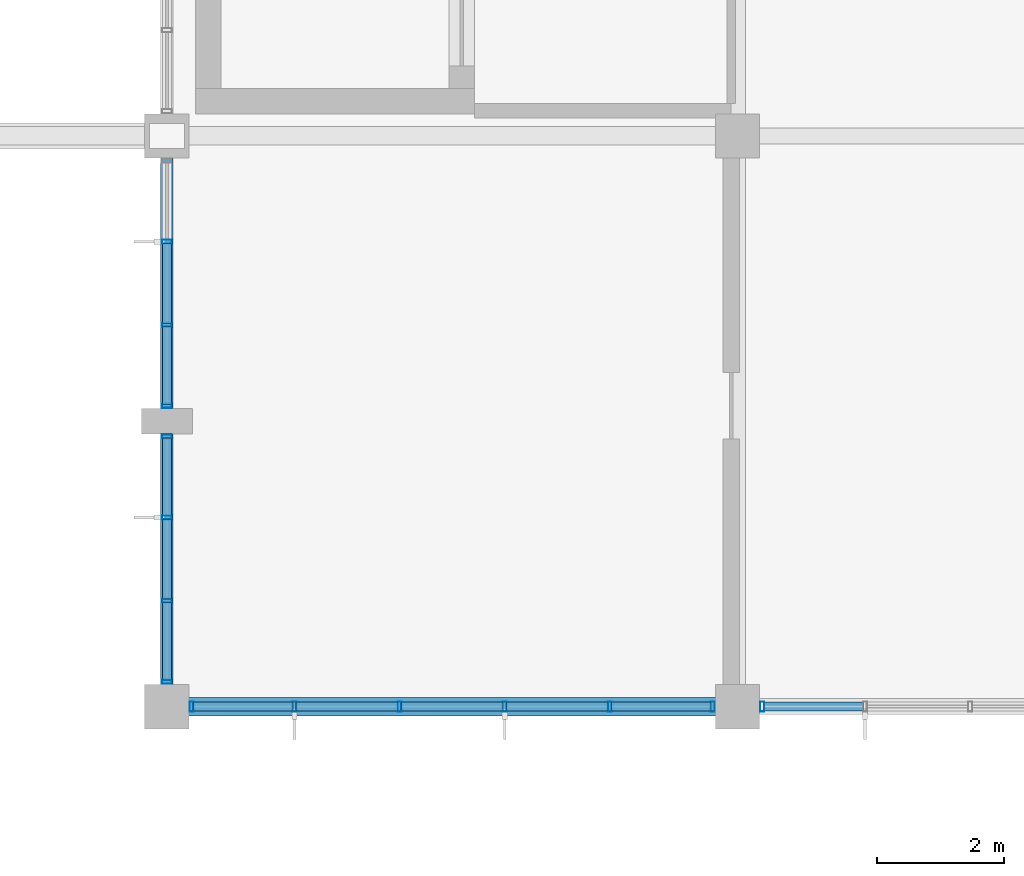
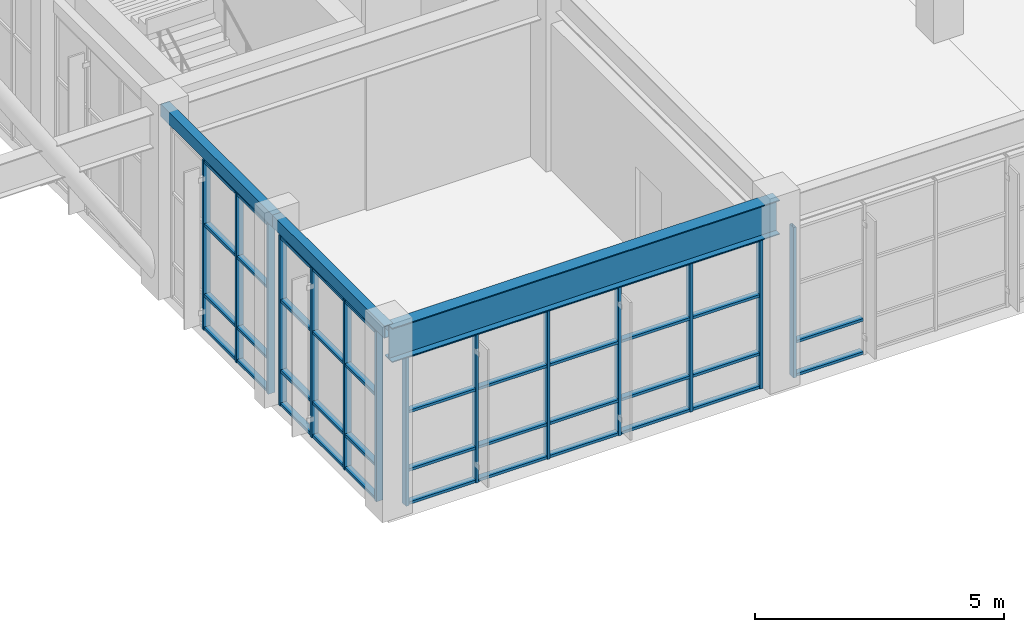
# One storey, part 15 of 99: 56 members, 3 beams, 4 elements without a shape of their own.
"""IFC4 building model written with IfcOpenShell, lengths in metres."""

import ifcopenshell
import ifcopenshell.guid

model = None  # the IFC model being written
_history = None  # IfcOwnerHistory: only IFC2X3 demands one
_inside = {}  # id of a spatial element -> (the spatial element, [elements in it])
_under = {}  # id of a project, library or spatial element -> (it, [spatial elements below it])
_declared = {}  # id of a project -> (the project, [libraries it declares])
_typed = {}  # id of a type object -> (the type object, [elements of that type])
_made_of = {}  # id of a material, layer set ... -> (it, [elements and type objects made of it])


def new_model(schema):
    """Start an empty IFC model of exactly this schema.

    Asked for "IFC4X3", IfcOpenShell would pick the latest addendum, in which some entities
    have other attributes; the version numbers below select the first issue.
    IFC2X3 requires an IfcOwnerHistory on every rooted entity: one is made here for all.
    """
    global model, _history
    if schema == "IFC4X3":
        model = ifcopenshell.file(schema_version=(4, 3, 0, 0))
    else:
        model = ifcopenshell.file(schema=schema)
    _inside.clear()
    _under.clear()
    _declared.clear()
    _typed.clear()
    _made_of.clear()
    _history = None
    if model.schema == "IFC2X3":
        org = make("IfcOrganization", Name="unknown")
        user = make(
            "IfcPersonAndOrganization",
            ThePerson=make("IfcPerson", FamilyName="unknown"),
            TheOrganization=org,
        )
        app = make(
            "IfcApplication",
            ApplicationDeveloper=org,
            Version="unknown",
            ApplicationFullName="unknown",
            ApplicationIdentifier="unknown",
        )
        _history = make(
            "IfcOwnerHistory",
            OwningUser=user,
            OwningApplication=app,
            ChangeAction="ADDED",
            CreationDate=0,
        )
    return model


def make(cls, **values):
    """One entity of the class cls with the attributes given. An attribute that is None is left unset."""
    return model.create_entity(
        cls, **{name: value for name, value in values.items() if value is not None}
    )


def rooted(cls, **values):
    """An entity with a GlobalId (a new one), such as an element, a storey or a relation."""
    return make(cls, GlobalId=ifcopenshell.guid.new(), OwnerHistory=_history, **values)


def si_unit(unit_type, name, prefix=None):
    """IfcSIUnit, for example si_unit("LENGTHUNIT", "METRE", prefix="MILLI")."""
    return make("IfcSIUnit", UnitType=unit_type, Prefix=prefix, Name=name)


def assignment(units):
    """IfcUnitAssignment: the units of a project."""
    return None if units is None else make("IfcUnitAssignment", Units=units)


def point(xyz):
    """IfcCartesianPoint."""
    return None if xyz is None else make("IfcCartesianPoint", Coordinates=xyz)


def direction(xyz):
    """IfcDirection."""
    return None if xyz is None else make("IfcDirection", DirectionRatios=xyz)


def frame(location, z_axis=None, x_axis=None):
    """IfcAxis2Placement3D, a coordinate frame: its origin and axes. An axis left out is left unset."""
    return make(
        "IfcAxis2Placement3D",
        Location=point(location),
        Axis=direction(z_axis),
        RefDirection=direction(x_axis),
    )


def frame_2d(location, x_axis=None):
    """IfcAxis2Placement2D, a coordinate frame in the plane: its origin and x axis."""
    return make(
        "IfcAxis2Placement2D", Location=point(location), RefDirection=direction(x_axis)
    )


def origin():
    """The frame at (0, 0, 0) with its axes left unset."""
    return frame((0.0, 0.0, 0.0))


def origin_2d():
    """The frame at (0, 0) in the plane with its x axis left unset."""
    return frame_2d((0.0, 0.0))


def place(relative_to, where):
    """IfcLocalPlacement: puts the frame where relative to a parent placement (None: the world)."""
    return make(
        "IfcLocalPlacement", PlacementRelTo=relative_to, RelativePlacement=where
    )


def context(
    kind, dimensions, precision=None, world=None, true_north=None, identifier=None
):
    """IfcGeometricRepresentationContext, for example the 3D "Model" context."""
    return make(
        "IfcGeometricRepresentationContext",
        ContextIdentifier=identifier,
        ContextType=kind,
        CoordinateSpaceDimension=dimensions,
        Precision=precision,
        WorldCoordinateSystem=world,
        TrueNorth=true_north,
    )


def subcontext(parent, identifier, kind, view, scale=None):
    """IfcGeometricRepresentationSubContext, for example "Body" below "Model"."""
    return make(
        "IfcGeometricRepresentationSubContext",
        ContextIdentifier=identifier,
        ContextType=kind,
        ParentContext=parent,
        TargetScale=scale,
        TargetView=view,
    )


def project(units=None, contexts=None):
    """IfcProject with its units and contexts."""
    return rooted(
        "IfcProject",
        Name="project",
        RepresentationContexts=contexts,
        UnitsInContext=assignment(units),
    )


def spatial(cls, under=None, at=None, **own):
    """A site, building, storey or space (cls), placed at a placement, below another one or the project."""
    s = rooted(cls, ObjectPlacement=at, **own)
    if under is not None:
        _under.setdefault(under.id(), (under, []))[1].append(s)
    return s


def profile(cls, at=None, kind="AREA", **sizes):
    """A parametric profile (cls). Its sizes go by their IFC names, for example OverallWidth=200.0."""
    return make(cls, ProfileType=kind, Position=at, **sizes)


def hollow_rectangle(**sizes):
    """IfcRectangleHollowProfileDef."""
    return profile("IfcRectangleHollowProfileDef", **sizes)


def i_section(**sizes):
    """IfcIShapeProfileDef."""
    return profile("IfcIShapeProfileDef", **sizes)


def extrude(swept, where, along, depth):
    """IfcExtrudedAreaSolid: the profile swept, set in the frame where, extruded along a direction by depth."""
    return make(
        "IfcExtrudedAreaSolid",
        SweptArea=swept,
        Position=where,
        ExtrudedDirection=direction(along),
        Depth=depth,
    )


def shape(context_of_items, identifier, shape_type, items):
    """IfcShapeRepresentation: the items that make up one representation, for example the "Body"."""
    return make(
        "IfcShapeRepresentation",
        ContextOfItems=context_of_items,
        RepresentationIdentifier=identifier,
        RepresentationType=shape_type,
        Items=items,
    )


def material(Name=None, Category=None):
    """IfcMaterial."""
    return make("IfcMaterial", Name=Name, Category=Category)


def layer(
    of_material, thickness, ventilated=None, Name=None, Category=None, Priority=None
):
    """IfcMaterialLayer: one layer of a wall or slab, of a material (None: an air gap)."""
    return make(
        "IfcMaterialLayer",
        Material=of_material,
        LayerThickness=thickness,
        IsVentilated=ventilated,
        Name=Name,
        Category=Category,
        Priority=Priority,
    )


def layer_set(layers, Name=None):
    """IfcMaterialLayerSet."""
    return make("IfcMaterialLayerSet", MaterialLayers=layers, LayerSetName=Name)


def material_profile(
    of_material, cross_section, Name=None, Category=None, Priority=None
):
    """IfcMaterialProfile: a cross section and its material."""
    return make(
        "IfcMaterialProfile",
        Name=Name,
        Material=of_material,
        Profile=cross_section,
        Priority=Priority,
        Category=Category,
    )


def profile_set(profiles, Name=None, composite=None):
    """IfcMaterialProfileSet."""
    return make(
        "IfcMaterialProfileSet",
        Name=Name,
        MaterialProfiles=profiles,
        CompositeProfile=composite,
    )


def made_of(thing, what):
    """Note that an element or type object is made of a material, layer set ...; save() writes the relation."""
    if what is not None:
        _made_of.setdefault(what.id(), (what, []))[1].append(thing)
    return thing


def type_object(cls, material=None, **own):
    """A type object (cls), such as IfcWallType, which elements share."""
    return made_of(rooted(cls, **own), material)


def element(
    cls,
    number,
    at=None,
    inside=None,
    cuts=None,
    type_object=None,
    material=None,
    context=None,
    identifier="Body",
    shape_type=None,
    held_by="IfcProductDefinitionShape",
    body=None,
    shapes=None,
    **own,
):
    """One element of the class cls, such as IfcWall. Its Tag is "e" and its number.

    at: its placement. inside: the storey or other place that contains it. cuts: it is an
    opening in that element (IfcRelVoidsElement). A single representation is given by context,
    identifier, shape_type and body (its items); several are given by shapes. held_by: the class
    of the entity that holds the representations. save() writes the other relations.
    """
    e = rooted(cls, Tag="e%d" % number, ObjectPlacement=at, **own)
    if body is not None:
        shapes = [shape(context, identifier, shape_type, body)]
    if shapes is not None:
        e.Representation = make(held_by, Representations=shapes)
    if inside is not None:
        _inside.setdefault(inside.id(), (inside, []))[1].append(e)
    if cuts is not None:
        rooted(
            "IfcRelVoidsElement", RelatingBuildingElement=cuts, RelatedOpeningElement=e
        )
    if type_object is not None:
        _typed.setdefault(type_object.id(), (type_object, []))[1].append(e)
    return made_of(e, material)


def aggregate(whole, parts):
    """IfcRelAggregates: a whole, such as a stair, and the parts it consists of."""
    return rooted("IfcRelAggregates", RelatingObject=whole, RelatedObjects=parts)


def save(model, path):
    """Write the relations noted so far, then the file.

    IfcRelAggregates (storeys below a building ...), IfcRelContainedInSpatialStructure (elements
    in a storey), IfcRelDefinesByType, IfcRelAssociatesMaterial and IfcRelDeclares: one each for
    every whole, place, type object, material and project.
    """
    for whole, parts in _under.values():
        aggregate(whole, parts)
    for where, things in _inside.values():
        rooted(
            "IfcRelContainedInSpatialStructure",
            RelatedElements=things,
            RelatingStructure=where,
        )
    for kind, things in _typed.values():
        rooted("IfcRelDefinesByType", RelatedObjects=things, RelatingType=kind)
    for what, things in _made_of.values():
        rooted("IfcRelAssociatesMaterial", RelatedObjects=things, RelatingMaterial=what)
    for by, libraries in _declared.values():
        rooted("IfcRelDeclares", RelatingContext=by, RelatedDefinitions=libraries)
    model.write(path)


model = new_model("IFC4")

# Units and contexts
model_context = context("Model", 3, precision=1e-05, world=origin(), true_north=direction((0.0, 1.0)))
body_context = subcontext(model_context, "Body", "Model", "MODEL_VIEW")
ifc_project = project(units=[si_unit("LENGTHUNIT", "METRE"), si_unit("AREAUNIT", "SQUARE_METRE"), si_unit("VOLUMEUNIT", "CUBIC_METRE"), si_unit("PLANEANGLEUNIT", "RADIAN"), si_unit("MASSUNIT", "GRAM", prefix="KILO")], contexts=[model_context])

# Site, building, storey
site_placement = place(None, origin())
site = spatial("IfcSite", under=ifc_project, at=site_placement, CompositionType="ELEMENT")
building_placement = place(site_placement, origin())
building = spatial("IfcBuilding", under=site, at=building_placement, Name="Ventoquebrada Cableway Terminal", CompositionType="ELEMENT")
storey_placement = place(building_placement, frame((0.0, 0.0, 9.60009765625)))
storey = spatial("IfcBuildingStorey", under=building, at=storey_placement, Name="L02", CompositionType="ELEMENT", Elevation=9.60009765625)

# Beam
ifc_material_1 = material(Name="Steel ASTM A992 Grade 50", Category="steel")
ifc_material_profile_1 = material_profile(ifc_material_1, i_section(OverallWidth=0.2919921875, OverallDepth=0.845947265625, WebThickness=0.015380859375, FlangeThickness=0.0244140625, at=origin_2d()), Name="W33X141")
ifc_profile_set_1 = profile_set([ifc_material_profile_1], Name="Steel ASTM A992 Grade 50")
beam_type_1 = type_object("IfcBeamType", Name="BM-ST06", PredefinedType="BEAM", material=ifc_profile_set_1)
beam_placement = place(storey_placement, frame((8.199951171875, 68.0, 4.10693359375), z_axis=(1.0, 0.0, 0.0), x_axis=(0.0, 1.0, 0.0)))
element("IfcBeam", 1, at=beam_placement, inside=storey, type_object=beam_type_1, Name="Primary frame girder FBM-0438", PredefinedType="BEAM", context=body_context, shape_type="SweptSolid", body=[
    extrude(i_section(OverallWidth=0.2919921875, OverallDepth=0.845947265625, WebThickness=0.015380859375, FlangeThickness=0.0244140625, at=origin_2d()), origin(), (0.0, 0.0, 1.0), 9.0),
])

# Curtain wall, members
ifc_material_2 = material(Name="Anodized thermally-broken aluminium", Category="aluminium")
ifc_layer_1 = layer(ifc_material_2, 0.159912109375)
ifc_layer_set_1 = layer_set([ifc_layer_1], Name="Anodized thermally-broken aluminium")
curtain_wall_type_1 = type_object("IfcCurtainWallType", Name="CW-T18", PredefinedType="USERDEFINED", material=ifc_layer_set_1)
curtain_wall_1_placement = place(storey_placement, origin())
curtain_wall_1 = element("IfcCurtainWall", 2, at=curtain_wall_1_placement, inside=storey, type_object=curtain_wall_type_1, Name="Unitised glazed curtain wall CW-040", ObjectType="UNITISED CURTAIN WALL", PredefinedType="USERDEFINED")
ifc_material_profile_2 = material_profile(ifc_material_2, hollow_rectangle(XDim=0.06494140625, YDim=0.159912109375, WallThickness=0.00390625, at=origin_2d()), Name="CW-MUL-65X160")
ifc_profile_set_2 = profile_set([ifc_material_profile_2], Name="Anodized thermally-broken aluminium")
member_type_1 = type_object("IfcMemberType", Name="CWM-01", PredefinedType="MULLION", material=ifc_profile_set_2)
member_1_placement = place(storey_placement, frame((8.590087890625, 68.0, -0.008056640625), z_axis=(0.0, 0.0, 1.0), x_axis=(1.0, 0.0, 0.0)))
member_1 = element("IfcMember", 3, at=member_1_placement, type_object=member_type_1, Name="Curtain wall mullion FML-0178", PredefinedType="MULLION", context=body_context, shape_type="SweptSolid", body=[
    extrude(hollow_rectangle(XDim=0.06494140625, YDim=0.159912109375, WallThickness=0.00390625, at=origin_2d()), origin(), (0.0, 0.0, 1.0), 3.69189453125),
])
member_2_placement = place(storey_placement, frame((10.212890625, 68.0, -0.008056640625), z_axis=(0.0, 0.0, 1.0), x_axis=(1.0, 0.0, 0.0)))
member_2 = element("IfcMember", 4, at=member_2_placement, type_object=member_type_1, Name="Curtain wall mullion FML-0179", PredefinedType="MULLION", context=body_context, shape_type="SweptSolid", body=[
    extrude(hollow_rectangle(XDim=0.06494140625, YDim=0.159912109375, WallThickness=0.00390625, at=origin_2d()), origin(), (0.0, 0.0, 1.0), 3.69189453125),
])
member_3_placement = place(storey_placement, frame((11.87109375, 68.0, -0.008056640625), z_axis=(0.0, 0.0, 1.0), x_axis=(1.0, 0.0, 0.0)))
member_3 = element("IfcMember", 5, at=member_3_placement, type_object=member_type_1, Name="Curtain wall mullion FML-0180", PredefinedType="MULLION", context=body_context, shape_type="SweptSolid", body=[
    extrude(hollow_rectangle(XDim=0.06494140625, YDim=0.159912109375, WallThickness=0.00390625, at=origin_2d()), origin(), (0.0, 0.0, 1.0), 3.69189453125),
])
member_4_placement = place(storey_placement, frame((13.529052734375, 68.0, -0.008056640625), z_axis=(0.0, 0.0, 1.0), x_axis=(1.0, 0.0, 0.0)))
member_4 = element("IfcMember", 6, at=member_4_placement, type_object=member_type_1, Name="Curtain wall mullion FML-0181", PredefinedType="MULLION", context=body_context, shape_type="SweptSolid", body=[
    extrude(hollow_rectangle(XDim=0.06494140625, YDim=0.159912109375, WallThickness=0.00390625, at=origin_2d()), origin(), (0.0, 0.0, 1.0), 3.69189453125),
])
member_5_placement = place(storey_placement, frame((15.18701171875, 68.0, -0.008056640625), z_axis=(0.0, 0.0, 1.0), x_axis=(1.0, 0.0, 0.0)))
member_5 = element("IfcMember", 7, at=member_5_placement, type_object=member_type_1, Name="Curtain wall mullion FML-0182", PredefinedType="MULLION", context=body_context, shape_type="SweptSolid", body=[
    extrude(hollow_rectangle(XDim=0.06494140625, YDim=0.159912109375, WallThickness=0.00390625, at=origin_2d()), origin(), (0.0, 0.0, 1.0), 3.69189453125),
])
member_6_placement = place(storey_placement, frame((16.81005859375, 68.0, -0.008056640625), z_axis=(0.0, 0.0, 1.0), x_axis=(1.0, 0.0, 0.0)))
member_6 = element("IfcMember", 8, at=member_6_placement, type_object=member_type_1, Name="Curtain wall mullion FML-0183", PredefinedType="MULLION", context=body_context, shape_type="SweptSolid", body=[
    extrude(hollow_rectangle(XDim=0.06494140625, YDim=0.159912109375, WallThickness=0.00390625, at=origin_2d()), origin(), (0.0, 0.0, 1.0), 3.69189453125),
])

# Curtain wall, member
curtain_wall_2_placement = place(storey_placement, origin())
curtain_wall_2 = element("IfcCurtainWall", 9, at=curtain_wall_2_placement, inside=storey, type_object=curtain_wall_type_1, Name="Unitised glazed curtain wall CW-041", ObjectType="UNITISED CURTAIN WALL", PredefinedType="USERDEFINED")
member_7_placement = place(storey_placement, frame((17.590087890625, 68.0, -0.008056640625), z_axis=(0.0, 0.0, 1.0), x_axis=(1.0, 0.0, 0.0)))
member_7 = element("IfcMember", 10, at=member_7_placement, type_object=member_type_1, Name="Curtain wall mullion FML-0184", PredefinedType="MULLION", context=body_context, shape_type="SweptSolid", body=[
    extrude(hollow_rectangle(XDim=0.06494140625, YDim=0.159912109375, WallThickness=0.00390625, at=origin_2d()), origin(), (0.0, 0.0, 1.0), 3.69189453125),
])

# Curtain wall, members
ifc_layer_2 = layer(ifc_material_2, 0.159912109375)
ifc_layer_set_2 = layer_set([ifc_layer_2], Name="Anodized thermally-broken aluminium")
curtain_wall_type_2 = type_object("IfcCurtainWallType", Name="CW-T17", PredefinedType="USERDEFINED", material=ifc_layer_set_2)
curtain_wall_3_placement = place(storey_placement, origin())
curtain_wall_3 = element("IfcCurtainWall", 11, at=curtain_wall_3_placement, inside=storey, type_object=curtain_wall_type_2, Name="Unitised glazed curtain wall CW-043", ObjectType="UNITISED CURTAIN WALL", PredefinedType="USERDEFINED")
member_8_placement = place(storey_placement, frame((8.199951171875, 75.33203125, -0.008056640625), z_axis=(0.0, 0.0, 1.0), x_axis=(0.0, -1.0, 0.0)))
member_8 = element("IfcMember", 12, at=member_8_placement, type_object=member_type_1, Name="Curtain wall mullion FML-0197", PredefinedType="MULLION", context=body_context, shape_type="SweptSolid", body=[
    extrude(hollow_rectangle(XDim=0.06494140625, YDim=0.159912109375, WallThickness=0.00390625, at=origin_2d()), origin(), (0.0, 0.0, 1.0), 4.1728515625),
])
member_9_placement = place(storey_placement, frame((8.199951171875, 74.01806640625, -0.008056640625), z_axis=(0.0, 0.0, 1.0), x_axis=(0.0, -1.0, 0.0)))
member_9 = element("IfcMember", 13, at=member_9_placement, type_object=member_type_1, Name="Curtain wall mullion FML-0198", PredefinedType="MULLION", context=body_context, shape_type="SweptSolid", body=[
    extrude(hollow_rectangle(XDim=0.06494140625, YDim=0.159912109375, WallThickness=0.00390625, at=origin_2d()), origin(), (0.0, 0.0, 1.0), 4.1728515625),
])
member_10_placement = place(storey_placement, frame((8.199951171875, 72.739990234375, -0.008056640625), z_axis=(0.0, 0.0, 1.0), x_axis=(0.0, -1.0, 0.0)))
member_10 = element("IfcMember", 14, at=member_10_placement, type_object=member_type_1, Name="Curtain wall mullion FML-0199", PredefinedType="MULLION", context=body_context, shape_type="SweptSolid", body=[
    extrude(hollow_rectangle(XDim=0.06494140625, YDim=0.159912109375, WallThickness=0.00390625, at=origin_2d()), origin(), (0.0, 0.0, 1.0), 4.1728515625),
])

curtain_wall_4_placement = place(storey_placement, origin())
curtain_wall_4 = element("IfcCurtainWall", 15, at=curtain_wall_4_placement, inside=storey, type_object=curtain_wall_type_2, Name="Unitised glazed curtain wall CW-044", ObjectType="UNITISED CURTAIN WALL", PredefinedType="USERDEFINED")
member_11_placement = place(storey_placement, frame((8.199951171875, 72.260009765625, -0.008056640625), z_axis=(0.0, 0.0, 1.0), x_axis=(0.0, -1.0, 0.0)))
member_11 = element("IfcMember", 16, at=member_11_placement, type_object=member_type_1, Name="Curtain wall mullion FML-0200", PredefinedType="MULLION", context=body_context, shape_type="SweptSolid", body=[
    extrude(hollow_rectangle(XDim=0.06494140625, YDim=0.159912109375, WallThickness=0.00390625, at=origin_2d()), origin(), (0.0, 0.0, 1.0), 4.1728515625),
])
member_12_placement = place(storey_placement, frame((8.199951171875, 70.98193359375, -0.008056640625), z_axis=(0.0, 0.0, 1.0), x_axis=(0.0, -1.0, 0.0)))
member_12 = element("IfcMember", 17, at=member_12_placement, type_object=member_type_1, Name="Curtain wall mullion FML-0201", PredefinedType="MULLION", context=body_context, shape_type="SweptSolid", body=[
    extrude(hollow_rectangle(XDim=0.06494140625, YDim=0.159912109375, WallThickness=0.00390625, at=origin_2d()), origin(), (0.0, 0.0, 1.0), 4.1728515625),
])
member_13_placement = place(storey_placement, frame((8.199951171875, 69.66796875, -0.008056640625), z_axis=(0.0, 0.0, 1.0), x_axis=(0.0, -1.0, 0.0)))
member_13 = element("IfcMember", 18, at=member_13_placement, type_object=member_type_1, Name="Curtain wall mullion FML-0202", PredefinedType="MULLION", context=body_context, shape_type="SweptSolid", body=[
    extrude(hollow_rectangle(XDim=0.06494140625, YDim=0.159912109375, WallThickness=0.00390625, at=origin_2d()), origin(), (0.0, 0.0, 1.0), 4.1728515625),
])
member_14_placement = place(storey_placement, frame((8.199951171875, 68.389892578125, -0.008056640625), z_axis=(0.0, 0.0, 1.0), x_axis=(0.0, -1.0, 0.0)))
member_14 = element("IfcMember", 19, at=member_14_placement, type_object=member_type_1, Name="Curtain wall mullion FML-0203", PredefinedType="MULLION", context=body_context, shape_type="SweptSolid", body=[
    extrude(hollow_rectangle(XDim=0.06494140625, YDim=0.159912109375, WallThickness=0.00390625, at=origin_2d()), origin(), (0.0, 0.0, 1.0), 4.1728515625),
])

# Member
ifc_material_profile_3 = material_profile(ifc_material_2, hollow_rectangle(XDim=0.06494140625, YDim=0.139892578125, WallThickness=0.00390625, at=origin_2d()), Name="CW-TRN-65X140")
ifc_profile_set_3 = profile_set([ifc_material_profile_3], Name="Anodized thermally-broken aluminium")
member_type_2 = type_object("IfcMemberType", Name="CWT-01", PredefinedType="USERDEFINED", material=ifc_profile_set_3)
member_15_placement = place(storey_placement, frame((8.616943359375, 68.0, 0.034912109375), z_axis=(1.0, 0.0, 0.0), x_axis=(0.0, 0.0, 1.0)))
member_15 = element("IfcMember", 20, at=member_15_placement, type_object=member_type_2, Name="Curtain wall transom FTR-0531", ObjectType="TRANSOM", PredefinedType="USERDEFINED", context=body_context, shape_type="SweptSolid", body=[
    extrude(hollow_rectangle(XDim=0.06494140625, YDim=0.139892578125, WallThickness=0.00390625, at=origin_2d()), origin(), (0.0, 0.0, 1.0), 1.568115234375),
])

member_16_placement = place(storey_placement, frame((8.616943359375, 68.0, 0.849853515625), z_axis=(1.0, 0.0, 0.0), x_axis=(0.0, 0.0, 1.0)))
member_16 = element("IfcMember", 21, at=member_16_placement, type_object=member_type_2, Name="Curtain wall transom FTR-0532", ObjectType="TRANSOM", PredefinedType="USERDEFINED", context=body_context, shape_type="SweptSolid", body=[
    extrude(hollow_rectangle(XDim=0.06494140625, YDim=0.139892578125, WallThickness=0.00390625, at=origin_2d()), origin(), (0.0, 0.0, 1.0), 1.568115234375),
])

member_17_placement = place(storey_placement, frame((8.616943359375, 68.0, 2.281005859375), z_axis=(1.0, 0.0, 0.0), x_axis=(0.0, 0.0, 1.0)))
member_17 = element("IfcMember", 22, at=member_17_placement, type_object=member_type_2, Name="Curtain wall transom FTR-0533", ObjectType="TRANSOM", PredefinedType="USERDEFINED", context=body_context, shape_type="SweptSolid", body=[
    extrude(hollow_rectangle(XDim=0.06494140625, YDim=0.139892578125, WallThickness=0.00390625, at=origin_2d()), origin(), (0.0, 0.0, 1.0), 1.568115234375),
])

member_18_placement = place(storey_placement, frame((8.616943359375, 68.0, 3.643798828125), z_axis=(1.0, 0.0, 0.0), x_axis=(0.0, 0.0, 1.0)))
member_18 = element("IfcMember", 23, at=member_18_placement, type_object=member_type_2, Name="Curtain wall transom FTR-0534", ObjectType="TRANSOM", PredefinedType="USERDEFINED", context=body_context, shape_type="SweptSolid", body=[
    extrude(hollow_rectangle(XDim=0.06494140625, YDim=0.139892578125, WallThickness=0.00390625, at=origin_2d()), origin(), (0.0, 0.0, 1.0), 1.568115234375),
])

member_19_placement = place(storey_placement, frame((10.239990234375, 68.0, 0.034912109375), z_axis=(1.0, 0.0, 0.0), x_axis=(0.0, 0.0, 1.0)))
member_19 = element("IfcMember", 24, at=member_19_placement, type_object=member_type_2, Name="Curtain wall transom FTR-0535", ObjectType="TRANSOM", PredefinedType="USERDEFINED", context=body_context, shape_type="SweptSolid", body=[
    extrude(hollow_rectangle(XDim=0.06494140625, YDim=0.139892578125, WallThickness=0.00390625, at=origin_2d()), origin(), (0.0, 0.0, 1.0), 1.60302734375),
])

member_20_placement = place(storey_placement, frame((10.239990234375, 68.0, 0.849853515625), z_axis=(1.0, 0.0, 0.0), x_axis=(0.0, 0.0, 1.0)))
member_20 = element("IfcMember", 25, at=member_20_placement, type_object=member_type_2, Name="Curtain wall transom FTR-0536", ObjectType="TRANSOM", PredefinedType="USERDEFINED", context=body_context, shape_type="SweptSolid", body=[
    extrude(hollow_rectangle(XDim=0.06494140625, YDim=0.139892578125, WallThickness=0.00390625, at=origin_2d()), origin(), (0.0, 0.0, 1.0), 1.60302734375),
])

member_21_placement = place(storey_placement, frame((10.239990234375, 68.0, 2.281005859375), z_axis=(1.0, 0.0, 0.0), x_axis=(0.0, 0.0, 1.0)))
member_21 = element("IfcMember", 26, at=member_21_placement, type_object=member_type_2, Name="Curtain wall transom FTR-0537", ObjectType="TRANSOM", PredefinedType="USERDEFINED", context=body_context, shape_type="SweptSolid", body=[
    extrude(hollow_rectangle(XDim=0.06494140625, YDim=0.139892578125, WallThickness=0.00390625, at=origin_2d()), origin(), (0.0, 0.0, 1.0), 1.60302734375),
])

member_22_placement = place(storey_placement, frame((10.239990234375, 68.0, 3.643798828125), z_axis=(1.0, 0.0, 0.0), x_axis=(0.0, 0.0, 1.0)))
member_22 = element("IfcMember", 27, at=member_22_placement, type_object=member_type_2, Name="Curtain wall transom FTR-0538", ObjectType="TRANSOM", PredefinedType="USERDEFINED", context=body_context, shape_type="SweptSolid", body=[
    extrude(hollow_rectangle(XDim=0.06494140625, YDim=0.139892578125, WallThickness=0.00390625, at=origin_2d()), origin(), (0.0, 0.0, 1.0), 1.60302734375),
])

member_23_placement = place(storey_placement, frame((11.89892578125, 68.0, 0.034912109375), z_axis=(1.0, 0.0, 0.0), x_axis=(0.0, 0.0, 1.0)))
member_23 = element("IfcMember", 28, at=member_23_placement, type_object=member_type_2, Name="Curtain wall transom FTR-0539", ObjectType="TRANSOM", PredefinedType="USERDEFINED", context=body_context, shape_type="SweptSolid", body=[
    extrude(hollow_rectangle(XDim=0.06494140625, YDim=0.139892578125, WallThickness=0.00390625, at=origin_2d()), origin(), (0.0, 0.0, 1.0), 1.60302734375),
])

member_24_placement = place(storey_placement, frame((11.89892578125, 68.0, 0.849853515625), z_axis=(1.0, 0.0, 0.0), x_axis=(0.0, 0.0, 1.0)))
member_24 = element("IfcMember", 29, at=member_24_placement, type_object=member_type_2, Name="Curtain wall transom FTR-0540", ObjectType="TRANSOM", PredefinedType="USERDEFINED", context=body_context, shape_type="SweptSolid", body=[
    extrude(hollow_rectangle(XDim=0.06494140625, YDim=0.139892578125, WallThickness=0.00390625, at=origin_2d()), origin(), (0.0, 0.0, 1.0), 1.60302734375),
])

member_25_placement = place(storey_placement, frame((11.89892578125, 68.0, 2.281005859375), z_axis=(1.0, 0.0, 0.0), x_axis=(0.0, 0.0, 1.0)))
member_25 = element("IfcMember", 30, at=member_25_placement, type_object=member_type_2, Name="Curtain wall transom FTR-0541", ObjectType="TRANSOM", PredefinedType="USERDEFINED", context=body_context, shape_type="SweptSolid", body=[
    extrude(hollow_rectangle(XDim=0.06494140625, YDim=0.139892578125, WallThickness=0.00390625, at=origin_2d()), origin(), (0.0, 0.0, 1.0), 1.60302734375),
])

member_26_placement = place(storey_placement, frame((11.89892578125, 68.0, 3.643798828125), z_axis=(1.0, 0.0, 0.0), x_axis=(0.0, 0.0, 1.0)))
member_26 = element("IfcMember", 31, at=member_26_placement, type_object=member_type_2, Name="Curtain wall transom FTR-0542", ObjectType="TRANSOM", PredefinedType="USERDEFINED", context=body_context, shape_type="SweptSolid", body=[
    extrude(hollow_rectangle(XDim=0.06494140625, YDim=0.139892578125, WallThickness=0.00390625, at=origin_2d()), origin(), (0.0, 0.0, 1.0), 1.60302734375),
])

member_27_placement = place(storey_placement, frame((13.555908203125, 68.0, 0.034912109375), z_axis=(1.0, 0.0, 0.0), x_axis=(0.0, 0.0, 1.0)))
member_27 = element("IfcMember", 32, at=member_27_placement, type_object=member_type_2, Name="Curtain wall transom FTR-0543", ObjectType="TRANSOM", PredefinedType="USERDEFINED", context=body_context, shape_type="SweptSolid", body=[
    extrude(hollow_rectangle(XDim=0.06494140625, YDim=0.139892578125, WallThickness=0.00390625, at=origin_2d()), origin(), (0.0, 0.0, 1.0), 1.60302734375),
])

member_28_placement = place(storey_placement, frame((13.555908203125, 68.0, 0.849853515625), z_axis=(1.0, 0.0, 0.0), x_axis=(0.0, 0.0, 1.0)))
member_28 = element("IfcMember", 33, at=member_28_placement, type_object=member_type_2, Name="Curtain wall transom FTR-0544", ObjectType="TRANSOM", PredefinedType="USERDEFINED", context=body_context, shape_type="SweptSolid", body=[
    extrude(hollow_rectangle(XDim=0.06494140625, YDim=0.139892578125, WallThickness=0.00390625, at=origin_2d()), origin(), (0.0, 0.0, 1.0), 1.60302734375),
])

member_29_placement = place(storey_placement, frame((13.555908203125, 68.0, 2.281005859375), z_axis=(1.0, 0.0, 0.0), x_axis=(0.0, 0.0, 1.0)))
member_29 = element("IfcMember", 34, at=member_29_placement, type_object=member_type_2, Name="Curtain wall transom FTR-0545", ObjectType="TRANSOM", PredefinedType="USERDEFINED", context=body_context, shape_type="SweptSolid", body=[
    extrude(hollow_rectangle(XDim=0.06494140625, YDim=0.139892578125, WallThickness=0.00390625, at=origin_2d()), origin(), (0.0, 0.0, 1.0), 1.60302734375),
])

member_30_placement = place(storey_placement, frame((13.555908203125, 68.0, 3.643798828125), z_axis=(1.0, 0.0, 0.0), x_axis=(0.0, 0.0, 1.0)))
member_30 = element("IfcMember", 35, at=member_30_placement, type_object=member_type_2, Name="Curtain wall transom FTR-0546", ObjectType="TRANSOM", PredefinedType="USERDEFINED", context=body_context, shape_type="SweptSolid", body=[
    extrude(hollow_rectangle(XDim=0.06494140625, YDim=0.139892578125, WallThickness=0.00390625, at=origin_2d()), origin(), (0.0, 0.0, 1.0), 1.60302734375),
])

member_31_placement = place(storey_placement, frame((15.214111328125, 68.0, 0.034912109375), z_axis=(1.0, 0.0, 0.0), x_axis=(0.0, 0.0, 1.0)))
member_31 = element("IfcMember", 36, at=member_31_placement, type_object=member_type_2, Name="Curtain wall transom FTR-0547", ObjectType="TRANSOM", PredefinedType="USERDEFINED", context=body_context, shape_type="SweptSolid", body=[
    extrude(hollow_rectangle(XDim=0.06494140625, YDim=0.139892578125, WallThickness=0.00390625, at=origin_2d()), origin(), (0.0, 0.0, 1.0), 1.56787109375),
])

member_32_placement = place(storey_placement, frame((15.214111328125, 68.0, 0.849853515625), z_axis=(1.0, 0.0, 0.0), x_axis=(0.0, 0.0, 1.0)))
member_32 = element("IfcMember", 37, at=member_32_placement, type_object=member_type_2, Name="Curtain wall transom FTR-0548", ObjectType="TRANSOM", PredefinedType="USERDEFINED", context=body_context, shape_type="SweptSolid", body=[
    extrude(hollow_rectangle(XDim=0.06494140625, YDim=0.139892578125, WallThickness=0.00390625, at=origin_2d()), origin(), (0.0, 0.0, 1.0), 1.56787109375),
])

member_33_placement = place(storey_placement, frame((15.214111328125, 68.0, 2.281005859375), z_axis=(1.0, 0.0, 0.0), x_axis=(0.0, 0.0, 1.0)))
member_33 = element("IfcMember", 38, at=member_33_placement, type_object=member_type_2, Name="Curtain wall transom FTR-0549", ObjectType="TRANSOM", PredefinedType="USERDEFINED", context=body_context, shape_type="SweptSolid", body=[
    extrude(hollow_rectangle(XDim=0.06494140625, YDim=0.139892578125, WallThickness=0.00390625, at=origin_2d()), origin(), (0.0, 0.0, 1.0), 1.56787109375),
])

member_34_placement = place(storey_placement, frame((15.214111328125, 68.0, 3.643798828125), z_axis=(1.0, 0.0, 0.0), x_axis=(0.0, 0.0, 1.0)))
member_34 = element("IfcMember", 39, at=member_34_placement, type_object=member_type_2, Name="Curtain wall transom FTR-0550", ObjectType="TRANSOM", PredefinedType="USERDEFINED", context=body_context, shape_type="SweptSolid", body=[
    extrude(hollow_rectangle(XDim=0.06494140625, YDim=0.139892578125, WallThickness=0.00390625, at=origin_2d()), origin(), (0.0, 0.0, 1.0), 1.56787109375),
])

aggregate(curtain_wall_1, [member_1, member_2, member_3, member_4, member_5, member_6, member_15, member_16, member_17, member_18, member_19, member_20, member_21, member_22, member_23, member_24, member_25, member_26, member_27, member_28, member_29, member_30, member_31, member_32, member_33, member_34])

member_35_placement = place(storey_placement, frame((17.616943359375, 68.0, 0.034912109375), z_axis=(1.0, 0.0, 0.0), x_axis=(0.0, 0.0, 1.0)))
member_35 = element("IfcMember", 40, at=member_35_placement, type_object=member_type_2, Name="Curtain wall transom FTR-0551", ObjectType="TRANSOM", PredefinedType="USERDEFINED", context=body_context, shape_type="SweptSolid", body=[
    extrude(hollow_rectangle(XDim=0.06494140625, YDim=0.139892578125, WallThickness=0.00390625, at=origin_2d()), origin(), (0.0, 0.0, 1.0), 1.569091796875),
])

member_36_placement = place(storey_placement, frame((17.616943359375, 68.0, 0.849853515625), z_axis=(1.0, 0.0, 0.0), x_axis=(0.0, 0.0, 1.0)))
member_36 = element("IfcMember", 41, at=member_36_placement, type_object=member_type_2, Name="Curtain wall transom FTR-0552", ObjectType="TRANSOM", PredefinedType="USERDEFINED", context=body_context, shape_type="SweptSolid", body=[
    extrude(hollow_rectangle(XDim=0.06494140625, YDim=0.139892578125, WallThickness=0.00390625, at=origin_2d()), origin(), (0.0, 0.0, 1.0), 1.569091796875),
])

aggregate(curtain_wall_2, [member_7, member_35, member_36])

member_37_placement = place(storey_placement, frame((8.199951171875, 75.303955078125, 0.034912109375), z_axis=(0.0, -1.0, 0.0), x_axis=(0.0, 0.0, 1.0)))
member_37 = element("IfcMember", 42, at=member_37_placement, type_object=member_type_2, Name="Curtain wall transom FTR-0595", ObjectType="TRANSOM", PredefinedType="USERDEFINED", context=body_context, shape_type="SweptSolid", body=[
    extrude(hollow_rectangle(XDim=0.06494140625, YDim=0.139892578125, WallThickness=0.00390625, at=origin_2d()), origin(), (0.0, 0.0, 1.0), 1.258056640625),
])

member_38_placement = place(storey_placement, frame((8.199951171875, 75.303955078125, 0.849853515625), z_axis=(0.0, -1.0, 0.0), x_axis=(0.0, 0.0, 1.0)))
member_38 = element("IfcMember", 43, at=member_38_placement, type_object=member_type_2, Name="Curtain wall transom FTR-0596", ObjectType="TRANSOM", PredefinedType="USERDEFINED", context=body_context, shape_type="SweptSolid", body=[
    extrude(hollow_rectangle(XDim=0.06494140625, YDim=0.139892578125, WallThickness=0.00390625, at=origin_2d()), origin(), (0.0, 0.0, 1.0), 1.258056640625),
])

member_39_placement = place(storey_placement, frame((8.199951171875, 75.303955078125, 2.578857421875), z_axis=(0.0, -1.0, 0.0), x_axis=(0.0, 0.0, 1.0)))
member_39 = element("IfcMember", 44, at=member_39_placement, type_object=member_type_2, Name="Curtain wall transom FTR-0597", ObjectType="TRANSOM", PredefinedType="USERDEFINED", context=body_context, shape_type="SweptSolid", body=[
    extrude(hollow_rectangle(XDim=0.06494140625, YDim=0.139892578125, WallThickness=0.00390625, at=origin_2d()), origin(), (0.0, 0.0, 1.0), 1.258056640625),
])

member_40_placement = place(storey_placement, frame((8.199951171875, 75.303955078125, 4.125), z_axis=(0.0, -1.0, 0.0), x_axis=(0.0, 0.0, 1.0)))
member_40 = element("IfcMember", 45, at=member_40_placement, type_object=member_type_2, Name="Curtain wall transom FTR-0598", ObjectType="TRANSOM", PredefinedType="USERDEFINED", context=body_context, shape_type="SweptSolid", body=[
    extrude(hollow_rectangle(XDim=0.06494140625, YDim=0.139892578125, WallThickness=0.00390625, at=origin_2d()), origin(), (0.0, 0.0, 1.0), 1.258056640625),
])

member_41_placement = place(storey_placement, frame((8.199951171875, 73.990966796875, 0.034912109375), z_axis=(0.0, -1.0, 0.0), x_axis=(0.0, 0.0, 1.0)))
member_41 = element("IfcMember", 46, at=member_41_placement, type_object=member_type_2, Name="Curtain wall transom FTR-0599", ObjectType="TRANSOM", PredefinedType="USERDEFINED", context=body_context, shape_type="SweptSolid", body=[
    extrude(hollow_rectangle(XDim=0.06494140625, YDim=0.139892578125, WallThickness=0.00390625, at=origin_2d()), origin(), (0.0, 0.0, 1.0), 1.223876953125),
])

member_42_placement = place(storey_placement, frame((8.199951171875, 73.990966796875, 0.849853515625), z_axis=(0.0, -1.0, 0.0), x_axis=(0.0, 0.0, 1.0)))
member_42 = element("IfcMember", 47, at=member_42_placement, type_object=member_type_2, Name="Curtain wall transom FTR-0600", ObjectType="TRANSOM", PredefinedType="USERDEFINED", context=body_context, shape_type="SweptSolid", body=[
    extrude(hollow_rectangle(XDim=0.06494140625, YDim=0.139892578125, WallThickness=0.00390625, at=origin_2d()), origin(), (0.0, 0.0, 1.0), 1.223876953125),
])

member_43_placement = place(storey_placement, frame((8.199951171875, 73.990966796875, 2.578857421875), z_axis=(0.0, -1.0, 0.0), x_axis=(0.0, 0.0, 1.0)))
member_43 = element("IfcMember", 48, at=member_43_placement, type_object=member_type_2, Name="Curtain wall transom FTR-0601", ObjectType="TRANSOM", PredefinedType="USERDEFINED", context=body_context, shape_type="SweptSolid", body=[
    extrude(hollow_rectangle(XDim=0.06494140625, YDim=0.139892578125, WallThickness=0.00390625, at=origin_2d()), origin(), (0.0, 0.0, 1.0), 1.223876953125),
])

member_44_placement = place(storey_placement, frame((8.199951171875, 73.990966796875, 4.125), z_axis=(0.0, -1.0, 0.0), x_axis=(0.0, 0.0, 1.0)))
member_44 = element("IfcMember", 49, at=member_44_placement, type_object=member_type_2, Name="Curtain wall transom FTR-0602", ObjectType="TRANSOM", PredefinedType="USERDEFINED", context=body_context, shape_type="SweptSolid", body=[
    extrude(hollow_rectangle(XDim=0.06494140625, YDim=0.139892578125, WallThickness=0.00390625, at=origin_2d()), origin(), (0.0, 0.0, 1.0), 1.223876953125),
])

aggregate(curtain_wall_3, [member_8, member_9, member_10, member_37, member_38, member_39, member_40, member_41, member_42, member_43, member_44])

member_45_placement = place(storey_placement, frame((8.199951171875, 72.23291015625, 0.034912109375), z_axis=(0.0, -1.0, 0.0), x_axis=(0.0, 0.0, 1.0)))
member_45 = element("IfcMember", 50, at=member_45_placement, type_object=member_type_2, Name="Curtain wall transom FTR-0603", ObjectType="TRANSOM", PredefinedType="USERDEFINED", context=body_context, shape_type="SweptSolid", body=[
    extrude(hollow_rectangle(XDim=0.06494140625, YDim=0.139892578125, WallThickness=0.00390625, at=origin_2d()), origin(), (0.0, 0.0, 1.0), 1.223876953125),
])

member_46_placement = place(storey_placement, frame((8.199951171875, 72.23291015625, 0.849853515625), z_axis=(0.0, -1.0, 0.0), x_axis=(0.0, 0.0, 1.0)))
member_46 = element("IfcMember", 51, at=member_46_placement, type_object=member_type_2, Name="Curtain wall transom FTR-0604", ObjectType="TRANSOM", PredefinedType="USERDEFINED", context=body_context, shape_type="SweptSolid", body=[
    extrude(hollow_rectangle(XDim=0.06494140625, YDim=0.139892578125, WallThickness=0.00390625, at=origin_2d()), origin(), (0.0, 0.0, 1.0), 1.223876953125),
])

member_47_placement = place(storey_placement, frame((8.199951171875, 72.23291015625, 2.578857421875), z_axis=(0.0, -1.0, 0.0), x_axis=(0.0, 0.0, 1.0)))
member_47 = element("IfcMember", 52, at=member_47_placement, type_object=member_type_2, Name="Curtain wall transom FTR-0605", ObjectType="TRANSOM", PredefinedType="USERDEFINED", context=body_context, shape_type="SweptSolid", body=[
    extrude(hollow_rectangle(XDim=0.06494140625, YDim=0.139892578125, WallThickness=0.00390625, at=origin_2d()), origin(), (0.0, 0.0, 1.0), 1.223876953125),
])

member_48_placement = place(storey_placement, frame((8.199951171875, 72.23291015625, 4.125), z_axis=(0.0, -1.0, 0.0), x_axis=(0.0, 0.0, 1.0)))
member_48 = element("IfcMember", 53, at=member_48_placement, type_object=member_type_2, Name="Curtain wall transom FTR-0606", ObjectType="TRANSOM", PredefinedType="USERDEFINED", context=body_context, shape_type="SweptSolid", body=[
    extrude(hollow_rectangle(XDim=0.06494140625, YDim=0.139892578125, WallThickness=0.00390625, at=origin_2d()), origin(), (0.0, 0.0, 1.0), 1.223876953125),
])

member_49_placement = place(storey_placement, frame((8.199951171875, 70.9541015625, 0.034912109375), z_axis=(0.0, -1.0, 0.0), x_axis=(0.0, 0.0, 1.0)))
member_49 = element("IfcMember", 54, at=member_49_placement, type_object=member_type_2, Name="Curtain wall transom FTR-0607", ObjectType="TRANSOM", PredefinedType="USERDEFINED", context=body_context, shape_type="SweptSolid", body=[
    extrude(hollow_rectangle(XDim=0.06494140625, YDim=0.139892578125, WallThickness=0.00390625, at=origin_2d()), origin(), (0.0, 0.0, 1.0), 1.258056640625),
])

member_50_placement = place(storey_placement, frame((8.199951171875, 70.9541015625, 0.849853515625), z_axis=(0.0, -1.0, 0.0), x_axis=(0.0, 0.0, 1.0)))
member_50 = element("IfcMember", 55, at=member_50_placement, type_object=member_type_2, Name="Curtain wall transom FTR-0608", ObjectType="TRANSOM", PredefinedType="USERDEFINED", context=body_context, shape_type="SweptSolid", body=[
    extrude(hollow_rectangle(XDim=0.06494140625, YDim=0.139892578125, WallThickness=0.00390625, at=origin_2d()), origin(), (0.0, 0.0, 1.0), 1.258056640625),
])

member_51_placement = place(storey_placement, frame((8.199951171875, 70.9541015625, 2.578857421875), z_axis=(0.0, -1.0, 0.0), x_axis=(0.0, 0.0, 1.0)))
member_51 = element("IfcMember", 56, at=member_51_placement, type_object=member_type_2, Name="Curtain wall transom FTR-0609", ObjectType="TRANSOM", PredefinedType="USERDEFINED", context=body_context, shape_type="SweptSolid", body=[
    extrude(hollow_rectangle(XDim=0.06494140625, YDim=0.139892578125, WallThickness=0.00390625, at=origin_2d()), origin(), (0.0, 0.0, 1.0), 1.258056640625),
])

member_52_placement = place(storey_placement, frame((8.199951171875, 70.9541015625, 4.125), z_axis=(0.0, -1.0, 0.0), x_axis=(0.0, 0.0, 1.0)))
member_52 = element("IfcMember", 57, at=member_52_placement, type_object=member_type_2, Name="Curtain wall transom FTR-0610", ObjectType="TRANSOM", PredefinedType="USERDEFINED", context=body_context, shape_type="SweptSolid", body=[
    extrude(hollow_rectangle(XDim=0.06494140625, YDim=0.139892578125, WallThickness=0.00390625, at=origin_2d()), origin(), (0.0, 0.0, 1.0), 1.258056640625),
])

member_53_placement = place(storey_placement, frame((8.199951171875, 69.64111328125, 0.034912109375), z_axis=(0.0, -1.0, 0.0), x_axis=(0.0, 0.0, 1.0)))
member_53 = element("IfcMember", 58, at=member_53_placement, type_object=member_type_2, Name="Curtain wall transom FTR-0611", ObjectType="TRANSOM", PredefinedType="USERDEFINED", context=body_context, shape_type="SweptSolid", body=[
    extrude(hollow_rectangle(XDim=0.06494140625, YDim=0.139892578125, WallThickness=0.00390625, at=origin_2d()), origin(), (0.0, 0.0, 1.0), 1.22314453125),
])

member_54_placement = place(storey_placement, frame((8.199951171875, 69.64111328125, 0.849853515625), z_axis=(0.0, -1.0, 0.0), x_axis=(0.0, 0.0, 1.0)))
member_54 = element("IfcMember", 59, at=member_54_placement, type_object=member_type_2, Name="Curtain wall transom FTR-0612", ObjectType="TRANSOM", PredefinedType="USERDEFINED", context=body_context, shape_type="SweptSolid", body=[
    extrude(hollow_rectangle(XDim=0.06494140625, YDim=0.139892578125, WallThickness=0.00390625, at=origin_2d()), origin(), (0.0, 0.0, 1.0), 1.22314453125),
])

member_55_placement = place(storey_placement, frame((8.199951171875, 69.64111328125, 2.578857421875), z_axis=(0.0, -1.0, 0.0), x_axis=(0.0, 0.0, 1.0)))
member_55 = element("IfcMember", 60, at=member_55_placement, type_object=member_type_2, Name="Curtain wall transom FTR-0613", ObjectType="TRANSOM", PredefinedType="USERDEFINED", context=body_context, shape_type="SweptSolid", body=[
    extrude(hollow_rectangle(XDim=0.06494140625, YDim=0.139892578125, WallThickness=0.00390625, at=origin_2d()), origin(), (0.0, 0.0, 1.0), 1.22314453125),
])

member_56_placement = place(storey_placement, frame((8.199951171875, 69.64111328125, 4.125), z_axis=(0.0, -1.0, 0.0), x_axis=(0.0, 0.0, 1.0)))
member_56 = element("IfcMember", 61, at=member_56_placement, type_object=member_type_2, Name="Curtain wall transom FTR-0614", ObjectType="TRANSOM", PredefinedType="USERDEFINED", context=body_context, shape_type="SweptSolid", body=[
    extrude(hollow_rectangle(XDim=0.06494140625, YDim=0.139892578125, WallThickness=0.00390625, at=origin_2d()), origin(), (0.0, 0.0, 1.0), 1.22314453125),
])

aggregate(curtain_wall_4, [member_11, member_12, member_13, member_14, member_45, member_46, member_47, member_48, member_49, member_50, member_51, member_52, member_53, member_54, member_55, member_56])

# Beams
ifc_material_3 = material(Name="Steel ASTM A500 Grade C", Category="steel")
ifc_material_profile_4 = material_profile(ifc_material_3, hollow_rectangle(XDim=0.199951171875, YDim=0.300048828125, WallThickness=0.012451171875, at=origin_2d()), Name="RHS300X200X12.5")
ifc_profile_set_4 = profile_set([ifc_material_profile_4], Name="Steel ASTM A500 Grade C")
beam_type_2 = type_object("IfcBeamType", Name="SP-ST02", PredefinedType="SPANDREL", material=ifc_profile_set_4)
for number, where, z_axis, x_axis, name in (
    (62, (8.199951171875, 68.0, 4.3798828125), (0.0, 1.0, 0.0), (-1.0, 0.0, 0.0), "Perimeter spandrel beam FBM-0459"),
    (63, (8.199951171875, 72.5, 4.3798828125), (0.0, 1.0, 0.0), (-1.0, 0.0, 0.0), "Perimeter spandrel beam FBM-0460"),
):
    element("IfcBeam", number, at=place(storey_placement, frame(where, z_axis=z_axis, x_axis=x_axis)), inside=storey, type_object=beam_type_2, Name=name, PredefinedType="SPANDREL", context=body_context, shape_type="SweptSolid", body=[
        extrude(hollow_rectangle(XDim=0.199951171875, YDim=0.300048828125, WallThickness=0.012451171875, at=origin_2d()), origin(), (0.0, 0.0, 1.0), 4.5),
    ])

save(model, "model.ifc")
